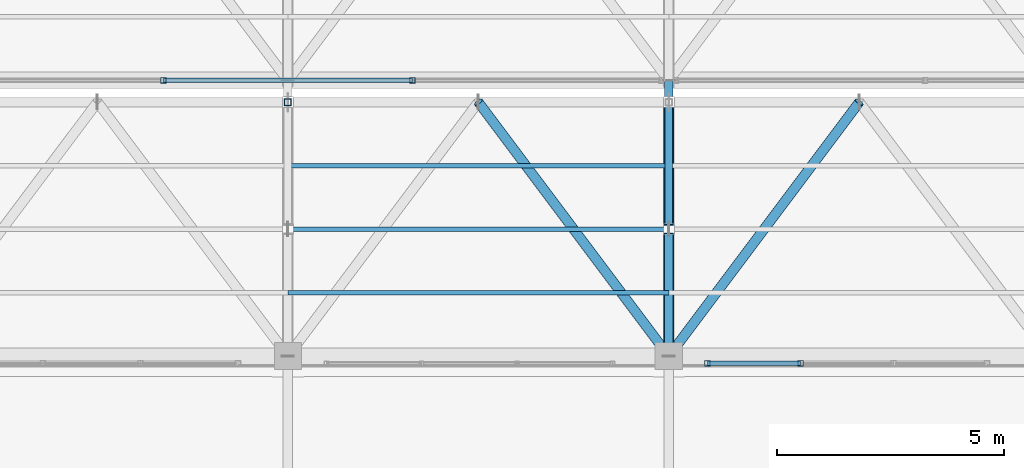
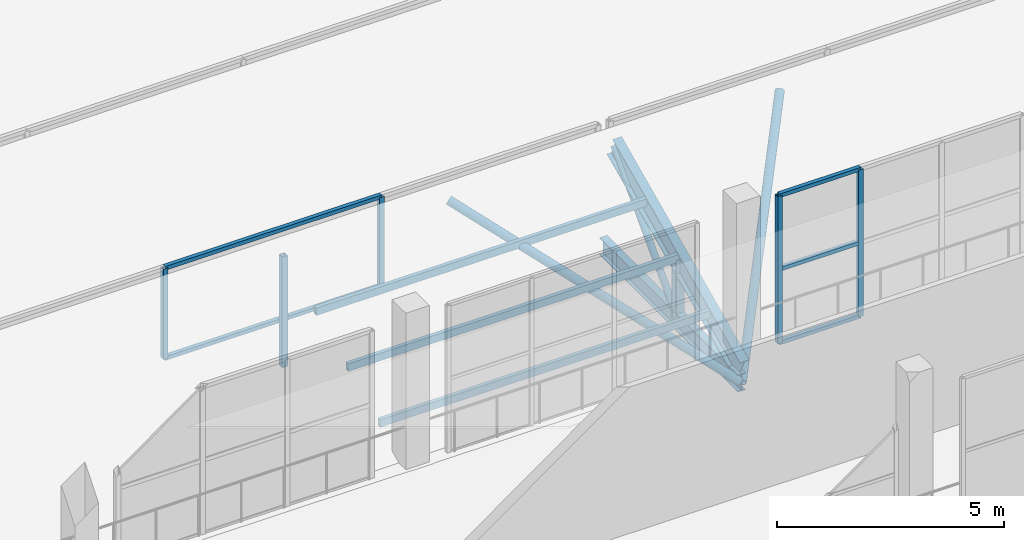
# One storey, part 91 of 217: 19 members, 2 elements without a shape of their own.
"""IFC4 building model written with IfcOpenShell, lengths in metres."""

from ifc_helpers import new_model, si_unit, direction, frame, origin, origin_2d, place, context, subcontext, project, spatial, hollow_rectangle, hollow_circle, i_section, extrude, material, material_profile, profile_set, type_object, element, aggregate, save


model = new_model("IFC4")

# Units and contexts
model_context = context("Model", 3, precision=1e-05, world=origin(), true_north=direction((0.0, 1.0)))
body_context = subcontext(model_context, "Body", "Model", "MODEL_VIEW")
ifc_project = project(units=[si_unit("LENGTHUNIT", "METRE"), si_unit("AREAUNIT", "SQUARE_METRE"), si_unit("VOLUMEUNIT", "CUBIC_METRE"), si_unit("PLANEANGLEUNIT", "RADIAN"), si_unit("MASSUNIT", "GRAM", prefix="KILO")], contexts=[model_context])

# Site, building, storey
site_placement = place(None, origin())
site = spatial("IfcSite", under=ifc_project, at=site_placement, CompositionType="ELEMENT")
building_placement = place(site_placement, origin())
building = spatial("IfcBuilding", under=site, at=building_placement, Name="Zuvorla Pavilion Media Centre", CompositionType="ELEMENT")
storey_placement = place(building_placement, frame((0.0, 0.0, 9.60009765625)))
storey = spatial("IfcBuildingStorey", under=building, at=storey_placement, Name="L02", CompositionType="ELEMENT", Elevation=9.60009765625)

# Curtain wall, members
ifc_material_1 = material(Name="Unitised anodised aluminium and solar glass curtain wall", Category="aluminium")
curtain_wall_type_1 = type_object("IfcCurtainWallType", Name="CW-SYS-11", PredefinedType="USERDEFINED", material=ifc_material_1)
curtain_wall_1_placement = place(storey_placement, origin())
curtain_wall_1 = element("IfcCurtainWall", 1, at=curtain_wall_1_placement, inside=storey, type_object=curtain_wall_type_1, Name="L02 curtain wall CW11 16", ObjectType="CURTAIN WALL", PredefinedType="USERDEFINED")
ifc_material_2 = material(Name="Anodised aluminium 6063-T6", Category="aluminium")
ifc_material_profile_1 = material_profile(ifc_material_2, hollow_rectangle(XDim=0.1201171875, YDim=0.1201171875, WallThickness=0.0048828125, at=origin_2d()), Name="ALU MULL 120x120")
ifc_profile_set_1 = profile_set([ifc_material_profile_1], Name="Anodised aluminium 6063-T6")
member_type_1 = type_object("IfcMemberType", Name="CW-MULL-120", PredefinedType="MULLION", material=ifc_profile_set_1)
member_1_placement = place(storey_placement, frame((120.10400390625, 89.43994140625, 0.0), z_axis=(0.0, 0.0, 1.0), x_axis=(1.0, 0.0, 0.0)))
member_1 = element("IfcMember", 2, at=member_1_placement, type_object=member_type_1, Name="CW11 mullion 3", PredefinedType="MULLION", context=body_context, shape_type="SweptSolid", body=[
    extrude(hollow_rectangle(XDim=0.1201171875, YDim=0.1201171875, WallThickness=0.0048828125, at=origin_2d()), origin(), (0.0, 0.0, 1.0), 3.949951171875),
])
member_2_placement = place(storey_placement, frame((118.05029296875, 89.43994140625, 0.0), z_axis=(0.0, 0.0, 1.0), x_axis=(1.0, 0.0, 0.0)))
member_2 = element("IfcMember", 3, at=member_2_placement, type_object=member_type_1, Name="CW11 mullion 4", PredefinedType="MULLION", context=body_context, shape_type="SweptSolid", body=[
    extrude(hollow_rectangle(XDim=0.1201171875, YDim=0.1201171875, WallThickness=0.0048828125, at=origin_2d()), origin(), (0.0, 0.0, 1.0), 3.949951171875),
])

curtain_wall_type_2 = type_object("IfcCurtainWallType", Name="CW-SYS-88", PredefinedType="USERDEFINED", material=ifc_material_1)
curtain_wall_2_placement = place(storey_placement, origin())
curtain_wall_2 = element("IfcCurtainWall", 4, at=curtain_wall_2_placement, inside=storey, type_object=curtain_wall_type_2, Name="L02 curtain wall CW88 202", ObjectType="CURTAIN WALL", PredefinedType="USERDEFINED")
member_3_placement = place(storey_placement, frame((106.05322265625, 95.679931640625, 0.0), z_axis=(0.0, 0.0, 1.0), x_axis=(1.0, 0.0, 0.0)))
member_3 = element("IfcMember", 5, at=member_3_placement, type_object=member_type_1, Name="CW88 mullion 2", PredefinedType="MULLION", context=body_context, shape_type="SweptSolid", body=[
    extrude(hollow_rectangle(XDim=0.1201171875, YDim=0.1201171875, WallThickness=0.0048828125, at=origin_2d()), origin(), (0.0, 0.0, 1.0), 2.419921875),
])
member_4_placement = place(storey_placement, frame((111.546630859375, 95.679931640625, 0.0), z_axis=(0.0, 0.0, 1.0), x_axis=(1.0, 0.0, 0.0)))
member_4 = element("IfcMember", 6, at=member_4_placement, type_object=member_type_1, Name="CW88 mullion 3", PredefinedType="MULLION", context=body_context, shape_type="SweptSolid", body=[
    extrude(hollow_rectangle(XDim=0.1201171875, YDim=0.1201171875, WallThickness=0.0048828125, at=origin_2d()), origin(), (0.0, 0.0, 1.0), 2.419921875),
])

# Member
ifc_material_profile_2 = material_profile(ifc_material_2, hollow_rectangle(XDim=0.10009765625, YDim=0.10009765625, WallThickness=0.00439453125, at=origin_2d()), Name="ALU TRAN 100x100")
ifc_profile_set_2 = profile_set([ifc_material_profile_2], Name="Anodised aluminium 6063-T6")
member_type_2 = type_object("IfcMemberType", Name="CW-TRAN-100", PredefinedType="USERDEFINED", material=ifc_profile_set_2)
member_5_placement = place(storey_placement, frame((120.10400390625, 89.43994140625, 0.0), z_axis=(-1.0, 0.0, 0.0), x_axis=(0.0, -1.0, 0.0)))
member_5 = element("IfcMember", 7, at=member_5_placement, type_object=member_type_2, Name="CW11 transom 3.1", ObjectType="TRANSOM", PredefinedType="USERDEFINED", context=body_context, shape_type="SweptSolid", body=[
    extrude(hollow_rectangle(XDim=0.10009765625, YDim=0.10009765625, WallThickness=0.00439453125, at=origin_2d()), origin(), (0.0, 0.0, 1.0), 2.0537109375),
])

member_6_placement = place(storey_placement, frame((120.10400390625, 89.43994140625, 1.974853515625), z_axis=(-1.0, 0.0, 0.0), x_axis=(0.0, -1.0, 0.0)))
member_6 = element("IfcMember", 8, at=member_6_placement, type_object=member_type_2, Name="CW11 transom 3.2", ObjectType="TRANSOM", PredefinedType="USERDEFINED", context=body_context, shape_type="SweptSolid", body=[
    extrude(hollow_rectangle(XDim=0.10009765625, YDim=0.10009765625, WallThickness=0.00439453125, at=origin_2d()), origin(), (0.0, 0.0, 1.0), 2.0537109375),
])

member_7_placement = place(storey_placement, frame((120.10400390625, 89.43994140625, 3.949951171875), z_axis=(-1.0, 0.0, 0.0), x_axis=(0.0, -1.0, 0.0)))
member_7 = element("IfcMember", 9, at=member_7_placement, type_object=member_type_2, Name="CW11 transom 3.3", ObjectType="TRANSOM", PredefinedType="USERDEFINED", context=body_context, shape_type="SweptSolid", body=[
    extrude(hollow_rectangle(XDim=0.10009765625, YDim=0.10009765625, WallThickness=0.00439453125, at=origin_2d()), origin(), (0.0, 0.0, 1.0), 2.0537109375),
])

aggregate(curtain_wall_1, [member_1, member_2, member_5, member_6, member_7])

member_8_placement = place(storey_placement, frame((106.05322265625, 95.679931640625, 0.0), z_axis=(1.0, 0.0, 0.0), x_axis=(0.0, 1.0, 0.0)))
member_8 = element("IfcMember", 10, at=member_8_placement, type_object=member_type_2, Name="CW88 transom 2.1", ObjectType="TRANSOM", PredefinedType="USERDEFINED", context=body_context, shape_type="SweptSolid", body=[
    extrude(hollow_rectangle(XDim=0.10009765625, YDim=0.10009765625, WallThickness=0.00439453125, at=origin_2d()), origin(), (0.0, 0.0, 1.0), 5.493408203125),
])

member_9_placement = place(storey_placement, frame((106.05322265625, 95.679931640625, 2.419921875), z_axis=(1.0, 0.0, 0.0), x_axis=(0.0, 1.0, 0.0)))
member_9 = element("IfcMember", 11, at=member_9_placement, type_object=member_type_2, Name="CW88 transom 2.2", ObjectType="TRANSOM", PredefinedType="USERDEFINED", context=body_context, shape_type="SweptSolid", body=[
    extrude(hollow_rectangle(XDim=0.10009765625, YDim=0.10009765625, WallThickness=0.00439453125, at=origin_2d()), origin(), (0.0, 0.0, 1.0), 5.493408203125),
])

aggregate(curtain_wall_2, [member_3, member_4, member_8, member_9])

# Members
ifc_material_3 = material(Name="Steel S355", Category="steel")
ifc_material_profile_3 = material_profile(ifc_material_3, hollow_circle(Radius=0.084228515625, WallThickness=0.008056640625, at=origin_2d()), Name="CHS 168.3x8")
ifc_profile_set_3 = profile_set([ifc_material_profile_3], Name="Steel S355")
member_type_3 = type_object("IfcMemberType", Name="MEM-BRC-CHS168", PredefinedType="BRACE", material=ifc_profile_set_3)
member_10_placement = place(storey_placement, frame((117.199951171875, 92.39990234375, -0.880126953125), z_axis=(0.0, 0.68676242614, 0.726881950555), x_axis=(-1.0, 0.0, 0.0)))
element("IfcMember", 12, at=member_10_placement, inside=storey, type_object=member_type_3, Name="L02 diagonal brace TB03 66", PredefinedType="BRACE", context=body_context, shape_type="SweptSolid", body=[
    extrude(hollow_circle(Radius=0.084228515625, WallThickness=0.008056640625, at=origin_2d()), origin(), (0.0, 0.0, 1.0), 4.0771484375),
])
ifc_material_profile_4 = material_profile(ifc_material_3, hollow_circle(Radius=0.109619140625, WallThickness=0.010009765625, at=origin_2d()), Name="CHS 219.1x10")
ifc_profile_set_4 = profile_set([ifc_material_profile_4], Name="Steel S355")
member_type_4 = type_object("IfcMemberType", Name="MEM-BRC-CHS219", PredefinedType="BRACE", material=ifc_profile_set_4)
for number, where, z_axis, x_axis, name in (
    (13, (113.0, 95.199951171875, 2.08349609375), (0.552524670006, -0.736688854033, -0.389879495972), (0.799995814625, 0.600005580459, 0.0), "L02 diagonal brace TB02 110"),
    (14, (117.199951171875, 89.60009765625, -0.880126953125), (0.552524670006, 0.736688854033, 0.389879495972), (-0.799995814625, 0.600005580459, 0.0), "L02 diagonal brace TB02 115"),
):
    element("IfcMember", number, at=place(storey_placement, frame(where, z_axis=z_axis, x_axis=x_axis)), inside=storey, type_object=member_type_4, Name=name, PredefinedType="BRACE", context=body_context, shape_type="SweptSolid", body=[
        extrude(hollow_circle(Radius=0.109619140625, WallThickness=0.010009765625, at=origin_2d()), origin(), (0.0, 0.0, 1.0), 7.601318359375),
    ])
ifc_material_profile_5 = material_profile(ifc_material_3, i_section(OverallWidth=0.19140625, OverallDepth=0.4599609375, WebThickness=0.010009765625, FlangeThickness=0.01611328125, FilletRadius=0.01025390625, at=origin_2d()), Name="UB 457x191x82")
ifc_profile_set_5 = profile_set([ifc_material_profile_5], Name="Steel S355")
member_type_5 = type_object("IfcMemberType", Name="MEM-CHD-UB457", PredefinedType="CHORD", material=ifc_profile_set_5)
member_11_placement = place(storey_placement, frame((117.199951171875, 89.60009765625, -0.880126953125), z_axis=(0.0, 1.0, 0.0), x_axis=(-1.0, 0.0, 0.0)))
element("IfcMember", 15, at=member_11_placement, inside=storey, type_object=member_type_5, Name="L02 chord TC03 63", PredefinedType="CHORD", context=body_context, shape_type="SweptSolid", body=[
    extrude(i_section(OverallWidth=0.19140625, OverallDepth=0.4599609375, WebThickness=0.010009765625, FlangeThickness=0.01611328125, FilletRadius=0.01025390625, at=origin_2d()), origin(), (0.0, 0.0, 1.0), 6.079833984375),
])
ifc_material_profile_6 = material_profile(ifc_material_3, i_section(OverallWidth=0.22900390625, OverallDepth=0.6123046875, WebThickness=0.011962890625, FlangeThickness=0.01953125, FilletRadius=0.0126953125, at=origin_2d()), Name="UB 610x229x125")
ifc_profile_set_6 = profile_set([ifc_material_profile_6], Name="Steel S355")
member_type_6 = type_object("IfcMemberType", Name="MEM-CHD-UB610", PredefinedType="CHORD", material=ifc_profile_set_6)
member_12_placement = place(storey_placement, frame((117.199951171875, 89.60009765625, -0.5166015625), z_axis=(0.0, 0.906998718654, 0.421133380724), x_axis=(-1.0, 0.0, 0.0)))
element("IfcMember", 16, at=member_12_placement, inside=storey, type_object=member_type_6, Name="L02 chord TC01 64", PredefinedType="CHORD", context=body_context, shape_type="SweptSolid", body=[
    extrude(i_section(OverallWidth=0.22900390625, OverallDepth=0.6123046875, WebThickness=0.011962890625, FlangeThickness=0.01953125, FilletRadius=0.0126953125, at=origin_2d()), origin(), (0.0, 0.0, 1.0), 6.174072265625),
])
ifc_material_profile_7 = material_profile(ifc_material_3, hollow_rectangle(XDim=0.10009765625, YDim=0.199951171875, WallThickness=0.008056640625, at=origin_2d()), Name="RHS 200x100x8")
ifc_profile_set_7 = profile_set([ifc_material_profile_7], Name="Steel S355")
member_type_7 = type_object("IfcMemberType", Name="MEM-PUR-RHS200", PredefinedType="PURLIN", material=ifc_profile_set_7)
for number, where, z_axis, x_axis, name in (
    (17, (108.800048828125, 91.0, 0.133544921875), (1.0, 0.0, 0.0), (0.0, 1.0, 0.0), "L02 purlin PR01 111"),
    (18, (108.800048828125, 92.39990234375, 0.783447265625), (1.0, 0.0, 0.0), (0.0, 1.0, 0.0), "L02 purlin PR01 112"),
    (19, (108.800048828125, 93.800048828125, 1.43359375), (1.0, 0.0, 0.0), (0.0, 1.0, 0.0), "L02 purlin PR01 113"),
):
    element("IfcMember", number, at=place(storey_placement, frame(where, z_axis=z_axis, x_axis=x_axis)), inside=storey, type_object=member_type_7, Name=name, PredefinedType="PURLIN", context=body_context, shape_type="SweptSolid", body=[
        extrude(hollow_rectangle(XDim=0.10009765625, YDim=0.199951171875, WallThickness=0.008056640625, at=origin_2d()), origin(), (0.0, 0.0, 1.0), 8.39990234375),
    ])
ifc_material_profile_8 = material_profile(ifc_material_3, hollow_rectangle(XDim=0.14990234375, YDim=0.14990234375, WallThickness=0.008056640625, at=origin_2d()), Name="SHS 150x150x8")
ifc_profile_set_8 = profile_set([ifc_material_profile_8], Name="Steel S355")
member_type_8 = type_object("IfcMemberType", Name="MEM-STR-SHS150", PredefinedType="STRUT", material=ifc_profile_set_8)
member_13_placement = place(storey_placement, frame((108.800048828125, 95.199951171875, -0.880126953125), z_axis=(0.0, 0.0, 1.0), x_axis=(1.0, 0.0, 0.0)))
element("IfcMember", 20, at=member_13_placement, inside=storey, type_object=member_type_8, Name="L02 vertical strut TS01 60", PredefinedType="STRUT", context=body_context, shape_type="SweptSolid", body=[
    extrude(hollow_rectangle(XDim=0.14990234375, YDim=0.14990234375, WallThickness=0.008056640625, at=origin_2d()), origin(), (0.0, 0.0, 1.0), 2.963623046875),
])
ifc_material_profile_9 = material_profile(ifc_material_3, i_section(OverallWidth=0.205810546875, OverallDepth=0.209716796875, WebThickness=0.009521484375, FlangeThickness=0.01416015625, FilletRadius=0.01025390625, at=origin_2d()), Name="UC 203x203x60")
ifc_profile_set_9 = profile_set([ifc_material_profile_9], Name="Steel S355")
member_type_9 = type_object("IfcMemberType", Name="MEM-STR-UC203", PredefinedType="STRUT", material=ifc_profile_set_9)
member_14_placement = place(storey_placement, frame((117.199951171875, 92.39990234375, -0.880126953125), z_axis=(0.0, 0.0, 1.0), x_axis=(1.0, 0.0, 0.0)))
element("IfcMember", 21, at=member_14_placement, inside=storey, type_object=member_type_9, Name="L02 vertical strut TS02 67", PredefinedType="STRUT", context=body_context, shape_type="SweptSolid", body=[
    extrude(i_section(OverallWidth=0.205810546875, OverallDepth=0.209716796875, WebThickness=0.009521484375, FlangeThickness=0.01416015625, FilletRadius=0.01025390625, at=origin_2d()), origin(), (0.0, 0.0, 1.0), 1.66357421875),
])

save(model, "model.ifc")
